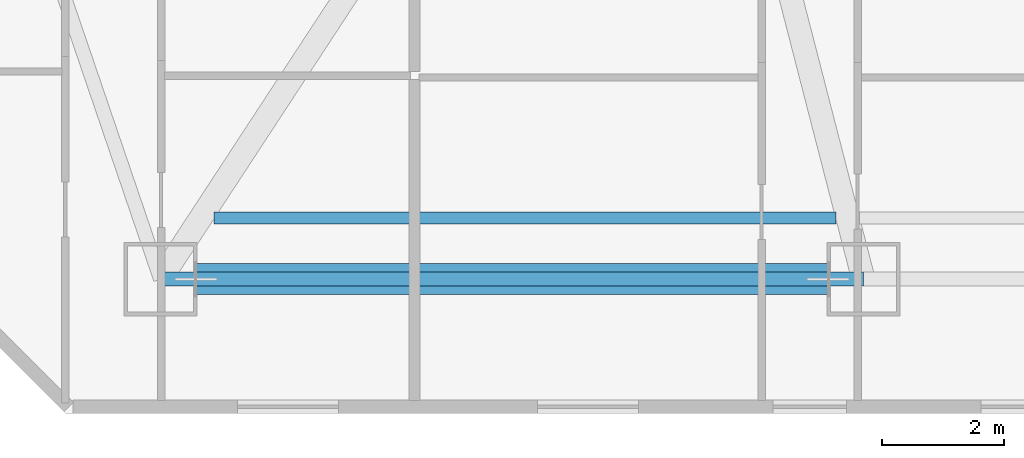
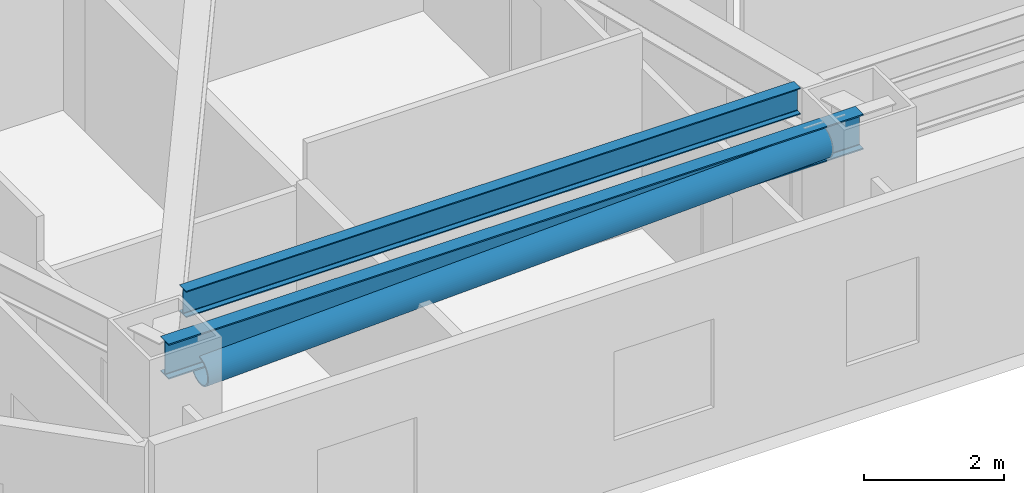
# One storey, part 3 of 25: 2 beams, 1 member.
"""IFC4 building model written with IfcOpenShell, lengths in metres."""

from ifc_helpers import new_model, si_unit, direction, frame, origin, origin_2d, place, context, subcontext, project, spatial, hollow_circle, i_section, extrude, material, material_profile, profile_set, type_object, element, save


model = new_model("IFC4")

# Units and contexts
model_context = context("Model", 3, precision=1e-05, world=origin(), true_north=direction((0.0, 1.0)))
body_context = subcontext(model_context, "Body", "Model", "MODEL_VIEW")
ifc_project = project(units=[si_unit("LENGTHUNIT", "METRE"), si_unit("AREAUNIT", "SQUARE_METRE"), si_unit("VOLUMEUNIT", "CUBIC_METRE"), si_unit("PLANEANGLEUNIT", "RADIAN"), si_unit("MASSUNIT", "GRAM", prefix="KILO")], contexts=[model_context])

# Site, building, storey
site_placement = place(None, origin())
site = spatial("IfcSite", under=ifc_project, at=site_placement, CompositionType="ELEMENT")
building_placement = place(site_placement, origin())
building = spatial("IfcBuilding", under=site, at=building_placement, Name="Khamvora Tower", CompositionType="ELEMENT")
storey_placement = place(building_placement, frame((0.0, 0.0, 36.949951171875)))
storey = spatial("IfcBuildingStorey", under=building, at=storey_placement, Name="L08", CompositionType="ELEMENT", Elevation=36.949951171875)

# Beams
ifc_material_1 = material(Name="Steel S355", Category="steel")
ifc_material_profile_1 = material_profile(ifc_material_1, i_section(OverallWidth=0.19189453125, OverallDepth=0.462890625, WebThickness=0.010986328125, FlangeThickness=0.01806640625, FilletRadius=0.011962890625, at=origin_2d()), Name="W460x89")
ifc_profile_set_1 = profile_set([ifc_material_profile_1], Name="Steel S355")
beam_type_1 = type_object("IfcBeamType", Name="BM-JS-W460x89", PredefinedType="JOIST", material=ifc_profile_set_1)
beam_1_placement = place(storey_placement, frame((10.626953125, 6.199951171875, 3.198974609375), z_axis=(1.0, 0.0, 0.0), x_axis=(0.0, 1.0, 0.0)))
element("IfcBeam", 1, at=beam_1_placement, inside=storey, type_object=beam_type_1, Name="L08 secondary floor joist 01", PredefinedType="JOIST", context=body_context, shape_type="SweptSolid", body=[
    extrude(i_section(OverallWidth=0.19189453125, OverallDepth=0.462890625, WebThickness=0.010986328125, FlangeThickness=0.01806640625, FilletRadius=0.011962890625, at=origin_2d()), origin(), (0.0, 0.0, 1.0), 10.173095703125),
])
ifc_material_profile_2 = material_profile(ifc_material_1, i_section(OverallWidth=0.22998046875, OverallDepth=0.616943359375, WebThickness=0.012939453125, FlangeThickness=0.02197265625, FilletRadius=0.013916015625, at=origin_2d()), Name="W610x140")
ifc_profile_set_2 = profile_set([ifc_material_profile_2], Name="Steel S355")
beam_type_2 = type_object("IfcBeamType", Name="BM-SP-W610x140", PredefinedType="SPANDREL", material=ifc_profile_set_2)
beam_2_placement = place(storey_placement, frame((9.75, 5.199951171875, 3.1220703125), z_axis=(1.0, 0.0, 0.0), x_axis=(0.0, 1.0, 0.0)))
element("IfcBeam", 2, at=beam_2_placement, inside=storey, type_object=beam_type_2, Name="L08 perimeter spandrel beam S1-S2", PredefinedType="SPANDREL", context=body_context, shape_type="SweptSolid", body=[
    extrude(i_section(OverallWidth=0.22998046875, OverallDepth=0.616943359375, WebThickness=0.012939453125, FlangeThickness=0.02197265625, FilletRadius=0.013916015625, at=origin_2d()), origin(), (0.0, 0.0, 1.0), 11.5),
])

# Member
ifc_material_2 = material(Name="Steel S460", Category="steel")
ifc_material_profile_3 = material_profile(ifc_material_2, hollow_circle(Radius=0.25390625, WallThickness=0.02490234375, at=origin_2d()), Name="CHS508x25")
ifc_profile_set_3 = profile_set([ifc_material_profile_3], Name="Steel S460")
member_type = type_object("IfcMemberType", Name="MEM-BR-CHS508", PredefinedType="BRACE", material=ifc_profile_set_3)
member_placement = place(storey_placement, frame((10.330078125, 5.199951171875, 2.7021484375), z_axis=(0.99926019848, 0.0, 0.038458493661), x_axis=(0.0, 1.0, 0.0)))
element("IfcMember", 3, at=member_placement, inside=storey, type_object=member_type, Name="L08 perimeter wind brace 1", PredefinedType="BRACE", context=body_context, shape_type="SweptSolid", body=[
    extrude(hollow_circle(Radius=0.25390625, WallThickness=0.02490234375, at=origin_2d()), origin(), (0.0, 0.0, 1.0), 10.347412109375),
])

save(model, "model.ifc")
